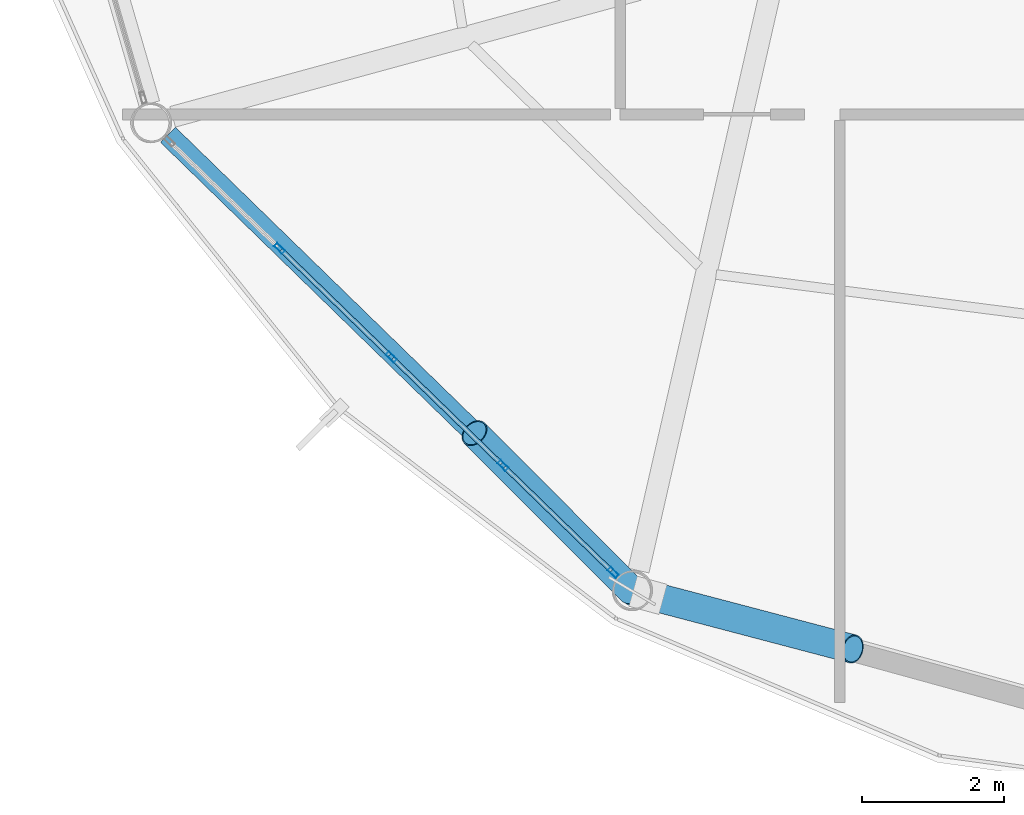
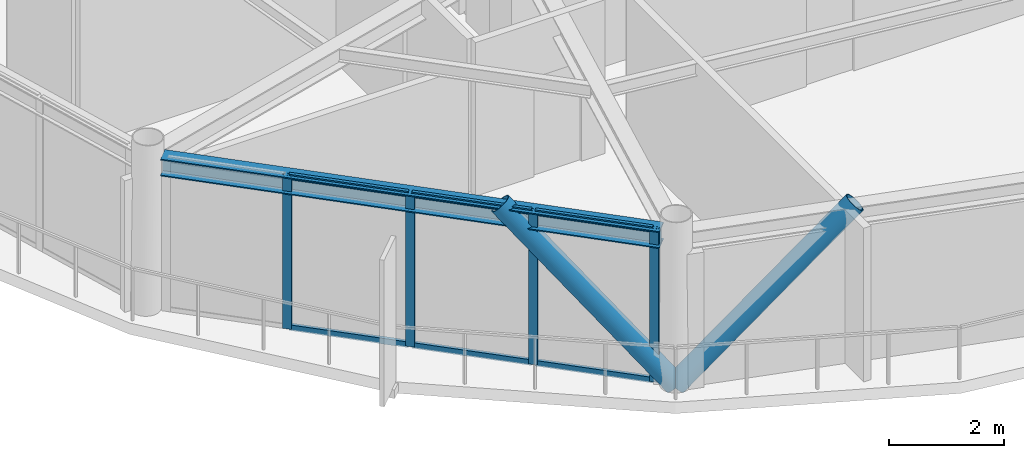
# One storey, part 2 of 28: 12 members, 1 beam, 1 element without a shape of its own.
"""IFC4 building model written with IfcOpenShell, lengths in metres."""

from ifc_helpers import new_model, si_unit, direction, frame, origin, origin_2d, place, context, subcontext, project, spatial, hollow_rectangle, hollow_circle, i_section, extrude, material, layer, layer_set, material_profile, profile_set, type_object, element, aggregate, save


model = new_model("IFC4")

# Units and contexts
model_context = context("Model", 3, precision=1e-05, world=origin(), true_north=direction((0.0, 1.0)))
body_context = subcontext(model_context, "Body", "Model", "MODEL_VIEW")
ifc_project = project(units=[si_unit("LENGTHUNIT", "METRE"), si_unit("AREAUNIT", "SQUARE_METRE"), si_unit("VOLUMEUNIT", "CUBIC_METRE"), si_unit("PLANEANGLEUNIT", "RADIAN"), si_unit("MASSUNIT", "GRAM", prefix="KILO")], contexts=[model_context])

# Site, building, storey
site_placement = place(None, origin())
site = spatial("IfcSite", under=ifc_project, at=site_placement, CompositionType="ELEMENT")
building_placement = place(site_placement, origin())
building = spatial("IfcBuilding", under=site, at=building_placement, Name="Varnakorn Sky Granary", CompositionType="ELEMENT")
storey_placement = place(building_placement, frame((0.0, 0.0, 236.39990234375)))
storey = spatial("IfcBuildingStorey", under=building, at=storey_placement, Name="L60", CompositionType="ELEMENT", Elevation=236.39990234375)

# Beam
ifc_material_1 = material(Name="Steel S355JR", Category="steel")
ifc_material_profile_1 = material_profile(ifc_material_1, i_section(OverallWidth=0.300048828125, OverallDepth=0.360107421875, WebThickness=0.012451171875, FlangeThickness=0.0224609375, at=origin_2d()), Name="HE 360 B")
ifc_profile_set_1 = profile_set([ifc_material_profile_1], Name="Steel S355JR")
beam_type = type_object("IfcBeamType", Name="BM-SPD-Z5", PredefinedType="SPANDREL", material=ifc_profile_set_1)
beam_placement = place(storey_placement, frame((-10.978515625, -9.18701171875, 3.070068359375), z_axis=(0.716568392491, -0.697516837706, 0.0), x_axis=(0.697516837706, 0.716568392491, 0.0)))
element("IfcBeam", 1, at=beam_placement, inside=storey, type_object=beam_type, Name="Perimeter Spandrel Ring Beam RB08 L60", PredefinedType="SPANDREL", context=body_context, shape_type="SweptSolid", body=[
    extrude(i_section(OverallWidth=0.300048828125, OverallDepth=0.360107421875, WebThickness=0.012451171875, FlangeThickness=0.0224609375, at=origin_2d()), origin(), (0.0, 0.0, 1.0), 8.9189453125),
])

# Curtain wall, members
ifc_material_2 = material(Name="Anodised Bronze Aluminium Alloy 6063-T6", Category="aluminium")
ifc_layer = layer(ifc_material_2, 0.159912109375, Name="Anodised Bronze Aluminium Alloy 6063-T6")
ifc_layer_set = layer_set([ifc_layer], Name="Anodised Bronze Aluminium Alloy 6063-T6")
curtain_wall_type = type_object("IfcCurtainWallType", Name="CW-OFF-1", PredefinedType="USERDEFINED", material=ifc_layer_set)
curtain_wall_placement = place(storey_placement, origin())
curtain_wall = element("IfcCurtainWall", 2, at=curtain_wall_placement, inside=storey, type_object=curtain_wall_type, Name="Unitised Curtain Wall CW6 CW-L60-B08", ObjectType="CURTAIN WALL", PredefinedType="USERDEFINED")
ifc_material_profile_2 = material_profile(ifc_material_2, hollow_rectangle(XDim=0.06494140625, YDim=0.159912109375, WallThickness=0.00341796875, at=origin_2d()), Name="ALU MULL 65x160")
ifc_profile_set_2 = profile_set([ifc_material_profile_2], Name="Anodised Bronze Aluminium Alloy 6063-T6")
member_type_1 = type_object("IfcMemberType", Name="CW-OFF-1-MULL", PredefinedType="MULLION", material=ifc_profile_set_2)
member_1_placement = place(storey_placement, frame((-4.6982421875, -15.363037109375, 0.0), z_axis=(0.0, 0.0, 1.0), x_axis=(-0.69691520137, -0.717153541509, 0.0)))
member_1 = element("IfcMember", 3, at=member_1_placement, type_object=member_type_1, Name="CW6 mullion 1", PredefinedType="MULLION", context=body_context, shape_type="SweptSolid", body=[
    extrude(hollow_rectangle(XDim=0.06494140625, YDim=0.159912109375, WallThickness=0.00341796875, at=origin_2d()), origin(), (0.0, 0.0, 1.0), 3.25),
])
member_2_placement = place(storey_placement, frame((-6.251953125, -13.853271484375, 0.0), z_axis=(0.0, 0.0, 1.0), x_axis=(-0.69691520137, -0.717153541509, 0.0)))
member_2 = element("IfcMember", 4, at=member_2_placement, type_object=member_type_1, Name="CW6 mullion 2", PredefinedType="MULLION", context=body_context, shape_type="SweptSolid", body=[
    extrude(hollow_rectangle(XDim=0.06494140625, YDim=0.159912109375, WallThickness=0.00341796875, at=origin_2d()), origin(), (0.0, 0.0, 1.0), 3.25),
])
member_3_placement = place(storey_placement, frame((-7.828857421875, -12.32080078125, 0.0), z_axis=(0.0, 0.0, 1.0), x_axis=(-0.69691520137, -0.717153541509, 0.0)))
member_3 = element("IfcMember", 5, at=member_3_placement, type_object=member_type_1, Name="CW6 mullion 3", PredefinedType="MULLION", context=body_context, shape_type="SweptSolid", body=[
    extrude(hollow_rectangle(XDim=0.06494140625, YDim=0.159912109375, WallThickness=0.00341796875, at=origin_2d()), origin(), (0.0, 0.0, 1.0), 3.25),
])
member_4_placement = place(storey_placement, frame((-9.405517578125, -10.78857421875, 0.0), z_axis=(0.0, 0.0, 1.0), x_axis=(-0.69691520137, -0.717153541509, 0.0)))
member_4 = element("IfcMember", 6, at=member_4_placement, type_object=member_type_1, Name="CW6 mullion 4", PredefinedType="MULLION", context=body_context, shape_type="SweptSolid", body=[
    extrude(hollow_rectangle(XDim=0.06494140625, YDim=0.159912109375, WallThickness=0.00341796875, at=origin_2d()), origin(), (0.0, 0.0, 1.0), 3.25),
])
ifc_material_profile_3 = material_profile(ifc_material_2, hollow_rectangle(XDim=0.06494140625, YDim=0.1201171875, WallThickness=0.00341796875, at=origin_2d()), Name="ALU TRAN 65x120")
ifc_profile_set_3 = profile_set([ifc_material_profile_3], Name="Anodised Bronze Aluminium Alloy 6063-T6")
member_type_2 = type_object("IfcMemberType", Name="CW-OFF-1-TRAN", PredefinedType="USERDEFINED", material=ifc_profile_set_3)
member_5_placement = place(storey_placement, frame((-4.7216796875, -15.34033203125, 0.03271484375), z_axis=(-0.717143312529, 0.696925727244, 0.0), x_axis=(-0.696925727244, -0.717143312529, 0.0)))
member_5 = element("IfcMember", 7, at=member_5_placement, type_object=member_type_2, Name="CW6 transom 1.1", ObjectType="TRANSOM", PredefinedType="USERDEFINED", context=body_context, shape_type="SweptSolid", body=[
    extrude(hollow_rectangle(XDim=0.06494140625, YDim=0.1201171875, WallThickness=0.00341796875, at=origin_2d()), origin(), (0.0, 0.0, 1.0), 2.10107421875),
])
member_6_placement = place(storey_placement, frame((-4.7216796875, -15.34033203125, 3.217529296875), z_axis=(-0.717143312529, 0.696925727244, 0.0), x_axis=(-0.696925727244, -0.717143312529, 0.0)))
member_6 = element("IfcMember", 8, at=member_6_placement, type_object=member_type_2, Name="CW6 transom 1.2", ObjectType="TRANSOM", PredefinedType="USERDEFINED", context=body_context, shape_type="SweptSolid", body=[
    extrude(hollow_rectangle(XDim=0.06494140625, YDim=0.1201171875, WallThickness=0.00341796875, at=origin_2d()), origin(), (0.0, 0.0, 1.0), 2.10107421875),
])
member_7_placement = place(storey_placement, frame((-6.275146484375, -13.83056640625, 0.03271484375), z_axis=(-0.71716010082, 0.696908451514, 0.0), x_axis=(-0.696908451514, -0.71716010082, 0.0)))
member_7 = element("IfcMember", 9, at=member_7_placement, type_object=member_type_2, Name="CW6 transom 2.1", ObjectType="TRANSOM", PredefinedType="USERDEFINED", context=body_context, shape_type="SweptSolid", body=[
    extrude(hollow_rectangle(XDim=0.06494140625, YDim=0.1201171875, WallThickness=0.00341796875, at=origin_2d()), origin(), (0.0, 0.0, 1.0), 2.1337890625),
])
member_8_placement = place(storey_placement, frame((-6.275146484375, -13.83056640625, 3.217529296875), z_axis=(-0.71716010082, 0.696908451514, 0.0), x_axis=(-0.696908451514, -0.71716010082, 0.0)))
member_8 = element("IfcMember", 10, at=member_8_placement, type_object=member_type_2, Name="CW6 transom 2.2", ObjectType="TRANSOM", PredefinedType="USERDEFINED", context=body_context, shape_type="SweptSolid", body=[
    extrude(hollow_rectangle(XDim=0.06494140625, YDim=0.1201171875, WallThickness=0.00341796875, at=origin_2d()), origin(), (0.0, 0.0, 1.0), 2.1337890625),
])
member_9_placement = place(storey_placement, frame((-7.85205078125, -12.298095703125, 0.03271484375), z_axis=(-0.71716010082, 0.696908451514, 0.0), x_axis=(-0.696908451514, -0.71716010082, 0.0)))
member_9 = element("IfcMember", 11, at=member_9_placement, type_object=member_type_2, Name="CW6 transom 3.1", ObjectType="TRANSOM", PredefinedType="USERDEFINED", context=body_context, shape_type="SweptSolid", body=[
    extrude(hollow_rectangle(XDim=0.06494140625, YDim=0.1201171875, WallThickness=0.00341796875, at=origin_2d()), origin(), (0.0, 0.0, 1.0), 2.1337890625),
])
member_10_placement = place(storey_placement, frame((-7.85205078125, -12.298095703125, 3.217529296875), z_axis=(-0.71716010082, 0.696908451514, 0.0), x_axis=(-0.696908451514, -0.71716010082, 0.0)))
member_10 = element("IfcMember", 12, at=member_10_placement, type_object=member_type_2, Name="CW6 transom 3.2", ObjectType="TRANSOM", PredefinedType="USERDEFINED", context=body_context, shape_type="SweptSolid", body=[
    extrude(hollow_rectangle(XDim=0.06494140625, YDim=0.1201171875, WallThickness=0.00341796875, at=origin_2d()), origin(), (0.0, 0.0, 1.0), 2.1337890625),
])
aggregate(curtain_wall, [member_1, member_2, member_3, member_4, member_5, member_6, member_7, member_8, member_9, member_10])

# Members
ifc_material_3 = material(Name="Steel S460M", Category="steel")
ifc_material_profile_4 = material_profile(ifc_material_3, hollow_circle(Radius=0.203125, WallThickness=0.01611328125, at=origin_2d()), Name="CHS 406.4x16")
ifc_profile_set_4 = profile_set([ifc_material_profile_4], Name="Steel S460M")
member_type_3 = type_object("IfcMemberType", Name="MB-DIAG-T4", PredefinedType="BRACE", material=ifc_profile_set_4)
member_11_placement = place(storey_placement, frame((-4.431396484375, -15.622314453125, 0.0), z_axis=(-0.491514762625, 0.492162415765, 0.718463217312), x_axis=(-0.70757218699, -0.706641068859, 0.0)))
element("IfcMember", 13, at=member_11_placement, inside=storey, type_object=member_type_3, Name="Perimeter CHS Diagrid Brace DG08 L60", PredefinedType="BRACE", context=body_context, shape_type="SweptSolid", body=[
    extrude(hollow_circle(Radius=0.203125, WallThickness=0.01611328125, at=origin_2d()), origin(), (0.0, 0.0, 1.0), 4.5234375),
])
member_12_placement = place(storey_placement, frame((-4.431396484375, -15.622314453125, 0.0), z_axis=(0.680905513276, -0.179081777504, 0.710138999743), x_axis=(0.254355303555, 0.9671108414, 0.0)))
element("IfcMember", 14, at=member_12_placement, inside=storey, type_object=member_type_3, Name="Perimeter CHS Diagrid Brace DG09 L60", PredefinedType="BRACE", context=body_context, shape_type="SweptSolid", body=[
    extrude(hollow_circle(Radius=0.203125, WallThickness=0.01611328125, at=origin_2d()), origin(), (0.0, 0.0, 1.0), 4.57666015625),
])

save(model, "model.ifc")
